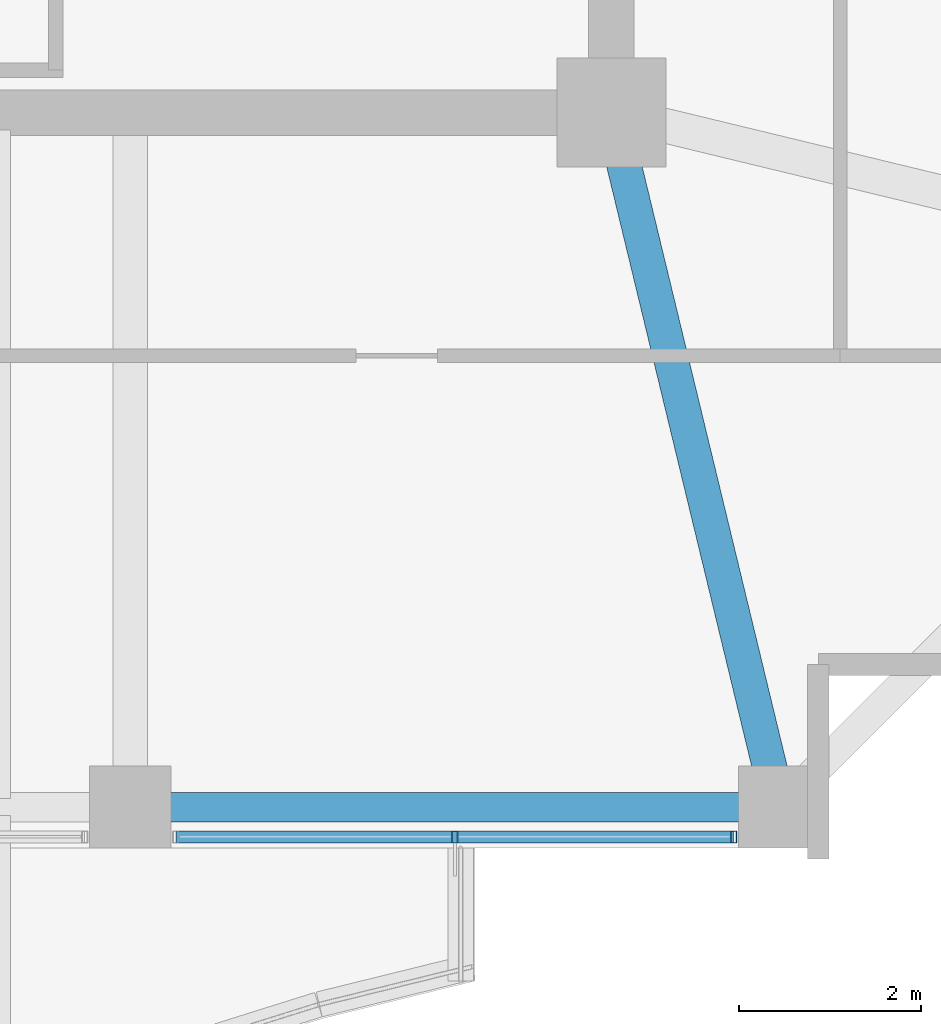
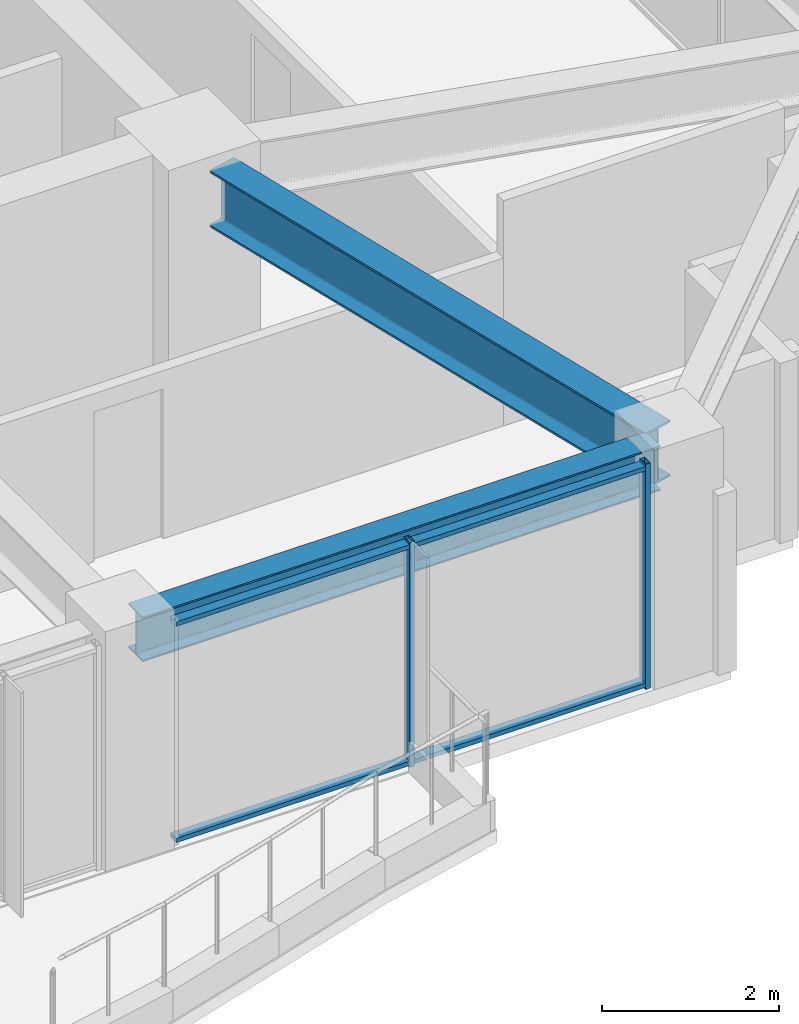
# One storey, part 8 of 31: 4 members, 2 beams, 1 element without a shape of its own.
"""IFC4 building model written with IfcOpenShell, lengths in metres."""

import ifcopenshell
import ifcopenshell.guid

model = None  # the IFC model being written
_history = None  # IfcOwnerHistory: only IFC2X3 demands one
_inside = {}  # id of a spatial element -> (the spatial element, [elements in it])
_under = {}  # id of a project, library or spatial element -> (it, [spatial elements below it])
_declared = {}  # id of a project -> (the project, [libraries it declares])
_typed = {}  # id of a type object -> (the type object, [elements of that type])
_made_of = {}  # id of a material, layer set ... -> (it, [elements and type objects made of it])


def new_model(schema):
    """Start an empty IFC model of exactly this schema.

    Asked for "IFC4X3", IfcOpenShell would pick the latest addendum, in which some entities
    have other attributes; the version numbers below select the first issue.
    IFC2X3 requires an IfcOwnerHistory on every rooted entity: one is made here for all.
    """
    global model, _history
    if schema == "IFC4X3":
        model = ifcopenshell.file(schema_version=(4, 3, 0, 0))
    else:
        model = ifcopenshell.file(schema=schema)
    _inside.clear()
    _under.clear()
    _declared.clear()
    _typed.clear()
    _made_of.clear()
    _history = None
    if model.schema == "IFC2X3":
        org = make("IfcOrganization", Name="unknown")
        user = make(
            "IfcPersonAndOrganization",
            ThePerson=make("IfcPerson", FamilyName="unknown"),
            TheOrganization=org,
        )
        app = make(
            "IfcApplication",
            ApplicationDeveloper=org,
            Version="unknown",
            ApplicationFullName="unknown",
            ApplicationIdentifier="unknown",
        )
        _history = make(
            "IfcOwnerHistory",
            OwningUser=user,
            OwningApplication=app,
            ChangeAction="ADDED",
            CreationDate=0,
        )
    return model


def make(cls, **values):
    """One entity of the class cls with the attributes given. An attribute that is None is left unset."""
    return model.create_entity(
        cls, **{name: value for name, value in values.items() if value is not None}
    )


def rooted(cls, **values):
    """An entity with a GlobalId (a new one), such as an element, a storey or a relation."""
    return make(cls, GlobalId=ifcopenshell.guid.new(), OwnerHistory=_history, **values)


def si_unit(unit_type, name, prefix=None):
    """IfcSIUnit, for example si_unit("LENGTHUNIT", "METRE", prefix="MILLI")."""
    return make("IfcSIUnit", UnitType=unit_type, Prefix=prefix, Name=name)


def assignment(units):
    """IfcUnitAssignment: the units of a project."""
    return None if units is None else make("IfcUnitAssignment", Units=units)


def point(xyz):
    """IfcCartesianPoint."""
    return None if xyz is None else make("IfcCartesianPoint", Coordinates=xyz)


def direction(xyz):
    """IfcDirection."""
    return None if xyz is None else make("IfcDirection", DirectionRatios=xyz)


def frame(location, z_axis=None, x_axis=None):
    """IfcAxis2Placement3D, a coordinate frame: its origin and axes. An axis left out is left unset."""
    return make(
        "IfcAxis2Placement3D",
        Location=point(location),
        Axis=direction(z_axis),
        RefDirection=direction(x_axis),
    )


def frame_2d(location, x_axis=None):
    """IfcAxis2Placement2D, a coordinate frame in the plane: its origin and x axis."""
    return make(
        "IfcAxis2Placement2D", Location=point(location), RefDirection=direction(x_axis)
    )


def origin():
    """The frame at (0, 0, 0) with its axes left unset."""
    return frame((0.0, 0.0, 0.0))


def origin_2d():
    """The frame at (0, 0) in the plane with its x axis left unset."""
    return frame_2d((0.0, 0.0))


def place(relative_to, where):
    """IfcLocalPlacement: puts the frame where relative to a parent placement (None: the world)."""
    return make(
        "IfcLocalPlacement", PlacementRelTo=relative_to, RelativePlacement=where
    )


def context(
    kind, dimensions, precision=None, world=None, true_north=None, identifier=None
):
    """IfcGeometricRepresentationContext, for example the 3D "Model" context."""
    return make(
        "IfcGeometricRepresentationContext",
        ContextIdentifier=identifier,
        ContextType=kind,
        CoordinateSpaceDimension=dimensions,
        Precision=precision,
        WorldCoordinateSystem=world,
        TrueNorth=true_north,
    )


def subcontext(parent, identifier, kind, view, scale=None):
    """IfcGeometricRepresentationSubContext, for example "Body" below "Model"."""
    return make(
        "IfcGeometricRepresentationSubContext",
        ContextIdentifier=identifier,
        ContextType=kind,
        ParentContext=parent,
        TargetScale=scale,
        TargetView=view,
    )


def project(units=None, contexts=None):
    """IfcProject with its units and contexts."""
    return rooted(
        "IfcProject",
        Name="project",
        RepresentationContexts=contexts,
        UnitsInContext=assignment(units),
    )


def spatial(cls, under=None, at=None, **own):
    """A site, building, storey or space (cls), placed at a placement, below another one or the project."""
    s = rooted(cls, ObjectPlacement=at, **own)
    if under is not None:
        _under.setdefault(under.id(), (under, []))[1].append(s)
    return s


def profile(cls, at=None, kind="AREA", **sizes):
    """A parametric profile (cls). Its sizes go by their IFC names, for example OverallWidth=200.0."""
    return make(cls, ProfileType=kind, Position=at, **sizes)


def hollow_rectangle(**sizes):
    """IfcRectangleHollowProfileDef."""
    return profile("IfcRectangleHollowProfileDef", **sizes)


def i_section(**sizes):
    """IfcIShapeProfileDef."""
    return profile("IfcIShapeProfileDef", **sizes)


def extrude(swept, where, along, depth):
    """IfcExtrudedAreaSolid: the profile swept, set in the frame where, extruded along a direction by depth."""
    return make(
        "IfcExtrudedAreaSolid",
        SweptArea=swept,
        Position=where,
        ExtrudedDirection=direction(along),
        Depth=depth,
    )


def shape(context_of_items, identifier, shape_type, items):
    """IfcShapeRepresentation: the items that make up one representation, for example the "Body"."""
    return make(
        "IfcShapeRepresentation",
        ContextOfItems=context_of_items,
        RepresentationIdentifier=identifier,
        RepresentationType=shape_type,
        Items=items,
    )


def material(Name=None, Category=None):
    """IfcMaterial."""
    return make("IfcMaterial", Name=Name, Category=Category)


def material_profile(
    of_material, cross_section, Name=None, Category=None, Priority=None
):
    """IfcMaterialProfile: a cross section and its material."""
    return make(
        "IfcMaterialProfile",
        Name=Name,
        Material=of_material,
        Profile=cross_section,
        Priority=Priority,
        Category=Category,
    )


def profile_set(profiles, Name=None, composite=None):
    """IfcMaterialProfileSet."""
    return make(
        "IfcMaterialProfileSet",
        Name=Name,
        MaterialProfiles=profiles,
        CompositeProfile=composite,
    )


def made_of(thing, what):
    """Note that an element or type object is made of a material, layer set ...; save() writes the relation."""
    if what is not None:
        _made_of.setdefault(what.id(), (what, []))[1].append(thing)
    return thing


def type_object(cls, material=None, **own):
    """A type object (cls), such as IfcWallType, which elements share."""
    return made_of(rooted(cls, **own), material)


def element(
    cls,
    number,
    at=None,
    inside=None,
    cuts=None,
    type_object=None,
    material=None,
    context=None,
    identifier="Body",
    shape_type=None,
    held_by="IfcProductDefinitionShape",
    body=None,
    shapes=None,
    **own,
):
    """One element of the class cls, such as IfcWall. Its Tag is "e" and its number.

    at: its placement. inside: the storey or other place that contains it. cuts: it is an
    opening in that element (IfcRelVoidsElement). A single representation is given by context,
    identifier, shape_type and body (its items); several are given by shapes. held_by: the class
    of the entity that holds the representations. save() writes the other relations.
    """
    e = rooted(cls, Tag="e%d" % number, ObjectPlacement=at, **own)
    if body is not None:
        shapes = [shape(context, identifier, shape_type, body)]
    if shapes is not None:
        e.Representation = make(held_by, Representations=shapes)
    if inside is not None:
        _inside.setdefault(inside.id(), (inside, []))[1].append(e)
    if cuts is not None:
        rooted(
            "IfcRelVoidsElement", RelatingBuildingElement=cuts, RelatedOpeningElement=e
        )
    if type_object is not None:
        _typed.setdefault(type_object.id(), (type_object, []))[1].append(e)
    return made_of(e, material)


def aggregate(whole, parts):
    """IfcRelAggregates: a whole, such as a stair, and the parts it consists of."""
    return rooted("IfcRelAggregates", RelatingObject=whole, RelatedObjects=parts)


def save(model, path):
    """Write the relations noted so far, then the file.

    IfcRelAggregates (storeys below a building ...), IfcRelContainedInSpatialStructure (elements
    in a storey), IfcRelDefinesByType, IfcRelAssociatesMaterial and IfcRelDeclares: one each for
    every whole, place, type object, material and project.
    """
    for whole, parts in _under.values():
        aggregate(whole, parts)
    for where, things in _inside.values():
        rooted(
            "IfcRelContainedInSpatialStructure",
            RelatedElements=things,
            RelatingStructure=where,
        )
    for kind, things in _typed.values():
        rooted("IfcRelDefinesByType", RelatedObjects=things, RelatingType=kind)
    for what, things in _made_of.values():
        rooted("IfcRelAssociatesMaterial", RelatedObjects=things, RelatingMaterial=what)
    for by, libraries in _declared.values():
        rooted("IfcRelDeclares", RelatingContext=by, RelatedDefinitions=libraries)
    model.write(path)


model = new_model("IFC4")

# Units and contexts
model_context = context("Model", 3, precision=1e-05, world=origin(), true_north=direction((0.0, 1.0)))
body_context = subcontext(model_context, "Body", "Model", "MODEL_VIEW")
ifc_project = project(units=[si_unit("LENGTHUNIT", "METRE"), si_unit("AREAUNIT", "SQUARE_METRE"), si_unit("VOLUMEUNIT", "CUBIC_METRE"), si_unit("PLANEANGLEUNIT", "RADIAN"), si_unit("MASSUNIT", "GRAM", prefix="KILO")], contexts=[model_context])

# Site, building, storey
site_placement = place(None, origin())
site = spatial("IfcSite", under=ifc_project, at=site_placement, CompositionType="ELEMENT")
building_placement = place(site_placement, origin())
building = spatial("IfcBuilding", under=site, at=building_placement, Name="Kolvaren Belvedere", CompositionType="ELEMENT")
storey_placement = place(building_placement, frame((0.0, 0.0, 134.89990234375)))
storey = spatial("IfcBuildingStorey", under=building, at=storey_placement, Name="L39", CompositionType="ELEMENT", Elevation=134.89990234375)

# Beams
ifc_material_1 = material(Name="Structural steel ASTM A992 Grade 50", Category="steel")
ifc_material_profile_1 = material_profile(ifc_material_1, i_section(OverallWidth=0.381103515625, OverallDepth=0.77294921875, WebThickness=0.0166015625, FlangeThickness=0.027099609375, FilletRadius=0.02392578125, at=origin_2d()), Name="W30X173")
ifc_profile_set_1 = profile_set([ifc_material_profile_1], Name="Structural steel ASTM A992 Grade 50")
beam_type_1 = type_object("IfcBeamType", Name="BM-GIRD-W30X173", PredefinedType="BEAM", material=ifc_profile_set_1)
beam_1_placement = place(storey_placement, frame((10.029296875, -10.4345703125, 2.713623046875), z_axis=(0.235062749937, -0.971980197119, 0.0), x_axis=(0.971980197119, 0.235062749937, 0.0)))
element("IfcBeam", 1, at=beam_1_placement, inside=storey, type_object=beam_type_1, Name="L39 Corner Core-to-Perimeter Girder CC2-S4", PredefinedType="BEAM", context=body_context, shape_type="SweptSolid", body=[
    extrude(i_section(OverallWidth=0.381103515625, OverallDepth=0.77294921875, WebThickness=0.0166015625, FlangeThickness=0.027099609375, FilletRadius=0.02392578125, at=origin_2d()), origin(), (0.0, 0.0, 1.0), 7.140625),
])
ifc_material_2 = material(Name="Structural steel ASTM A992 Grade 50", Category="steel")
ifc_material_profile_2 = material_profile(ifc_material_2, i_section(OverallWidth=0.324951171875, OverallDepth=0.615966796875, WebThickness=0.013916015625, FlangeThickness=0.021484375, FilletRadius=0.02001953125, at=origin_2d()), Name="W24X117")
ifc_profile_set_2 = profile_set([ifc_material_profile_2], Name="Structural steel ASTM A992 Grade 50")
beam_type_2 = type_object("IfcBeamType", Name="BM-SPAN-W24X117", PredefinedType="SPANDREL", material=ifc_profile_set_2)
beam_2_placement = place(storey_placement, frame((4.802490234375, -17.550048828125, 2.7919921875), z_axis=(1.0, 0.0, 0.0), x_axis=(0.0, 1.0, 0.0)))
element("IfcBeam", 2, at=beam_2_placement, inside=storey, type_object=beam_type_2, Name="L39 Perimeter Spandrel S3-S4", PredefinedType="SPANDREL", context=body_context, shape_type="SweptSolid", body=[
    extrude(i_section(OverallWidth=0.324951171875, OverallDepth=0.615966796875, WebThickness=0.013916015625, FlangeThickness=0.021484375, FilletRadius=0.02001953125, at=origin_2d()), origin(), (0.0, 0.0, 1.0), 6.7451171875),
])

# Curtain wall, members
ifc_material_3 = material(Name="Anodised pale-metal aluminium AA 6063-T6", Category="aluminium")
curtain_wall_type = type_object("IfcCurtainWallType", Name="CW-Z3-WAIST", PredefinedType="NOTDEFINED", material=ifc_material_3)
curtain_wall_placement = place(storey_placement, origin())
curtain_wall = element("IfcCurtainWall", 3, at=curtain_wall_placement, inside=storey, type_object=curtain_wall_type, Name="L39 Unitised Curtain Wall FCW-L39-S1-B1", PredefinedType="NOTDEFINED")
ifc_material_4 = material(Name="Anodised pale-metal aluminium AA 6063-T6", Category="aluminium")
ifc_material_profile_3 = material_profile(ifc_material_4, hollow_rectangle(XDim=0.06494140625, YDim=0.1298828125, WallThickness=0.00390625, at=origin_2d()), Name="ALU-MUL-130X65")
ifc_profile_set_3 = profile_set([ifc_material_profile_3], Name="Anodised pale-metal aluminium AA 6063-T6")
member_type_1 = type_object("IfcMemberType", Name="CW-MUL-130", PredefinedType="MULLION", material=ifc_profile_set_3)
member_1_placement = place(storey_placement, frame((11.24755859375, -17.8798828125, 0.0), z_axis=(0.0, 0.0, 1.0), x_axis=(1.0, 0.0, 0.0)))
member_1 = element("IfcMember", 4, at=member_1_placement, type_object=member_type_1, Name="FCW-L39-S1-B1 Unitised Mullion 1", PredefinedType="MULLION", context=body_context, shape_type="SweptSolid", body=[
    extrude(hollow_rectangle(XDim=0.06494140625, YDim=0.1298828125, WallThickness=0.00390625, at=origin_2d()), origin(), (0.0, 0.0, 1.0), 3.10009765625),
])
member_2_placement = place(storey_placement, frame((8.175048828125, -17.8798828125, 0.0), z_axis=(0.0, 0.0, 1.0), x_axis=(1.0, 0.0, 0.0)))
member_2 = element("IfcMember", 5, at=member_2_placement, type_object=member_type_1, Name="FCW-L39-S1-B1 Unitised Mullion 2", PredefinedType="MULLION", context=body_context, shape_type="SweptSolid", body=[
    extrude(hollow_rectangle(XDim=0.06494140625, YDim=0.1298828125, WallThickness=0.00390625, at=origin_2d()), origin(), (0.0, 0.0, 1.0), 3.10009765625),
])
ifc_material_5 = material(Name="Anodised pale-metal aluminium AA 6063-T6", Category="aluminium")
ifc_material_profile_4 = material_profile(ifc_material_5, hollow_rectangle(XDim=0.06005859375, YDim=0.1298828125, WallThickness=0.00390625, at=origin_2d()), Name="ALU-TRN-130X60")
ifc_profile_set_4 = profile_set([ifc_material_profile_4], Name="Anodised pale-metal aluminium AA 6063-T6")
member_type_2 = type_object("IfcMemberType", Name="CW-TRN-130", PredefinedType="USERDEFINED", material=ifc_profile_set_4)
member_3_placement = place(storey_placement, frame((11.24755859375, -17.8798828125, 0.06005859375), z_axis=(-1.0, 0.0, 0.0), x_axis=(0.0, 0.0, 1.0)))
member_3 = element("IfcMember", 6, at=member_3_placement, type_object=member_type_2, Name="FCW-L39-S1-B1 Sill Transom", ObjectType="TRANSOM", PredefinedType="USERDEFINED", context=body_context, shape_type="SweptSolid", body=[
    extrude(hollow_rectangle(XDim=0.06005859375, YDim=0.1298828125, WallThickness=0.00390625, at=origin_2d()), origin(), (0.0, 0.0, 1.0), 6.14501953125),
])
member_4_placement = place(storey_placement, frame((11.24755859375, -17.8798828125, 3.0400390625), z_axis=(-1.0, 0.0, 0.0), x_axis=(0.0, 0.0, 1.0)))
member_4 = element("IfcMember", 7, at=member_4_placement, type_object=member_type_2, Name="FCW-L39-S1-B1 Head Transom", ObjectType="TRANSOM", PredefinedType="USERDEFINED", context=body_context, shape_type="SweptSolid", body=[
    extrude(hollow_rectangle(XDim=0.06005859375, YDim=0.1298828125, WallThickness=0.00390625, at=origin_2d()), origin(), (0.0, 0.0, 1.0), 6.14501953125),
])
aggregate(curtain_wall, [member_1, member_2, member_3, member_4])

save(model, "model.ifc")
